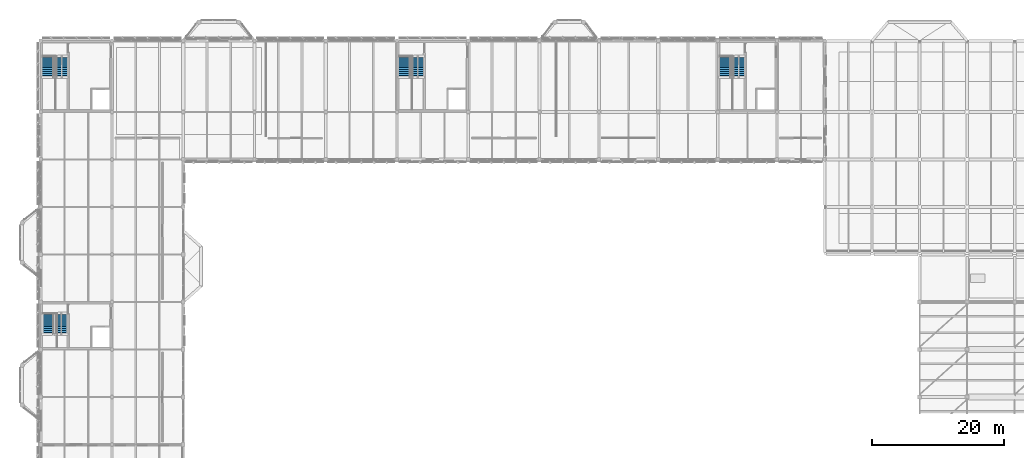
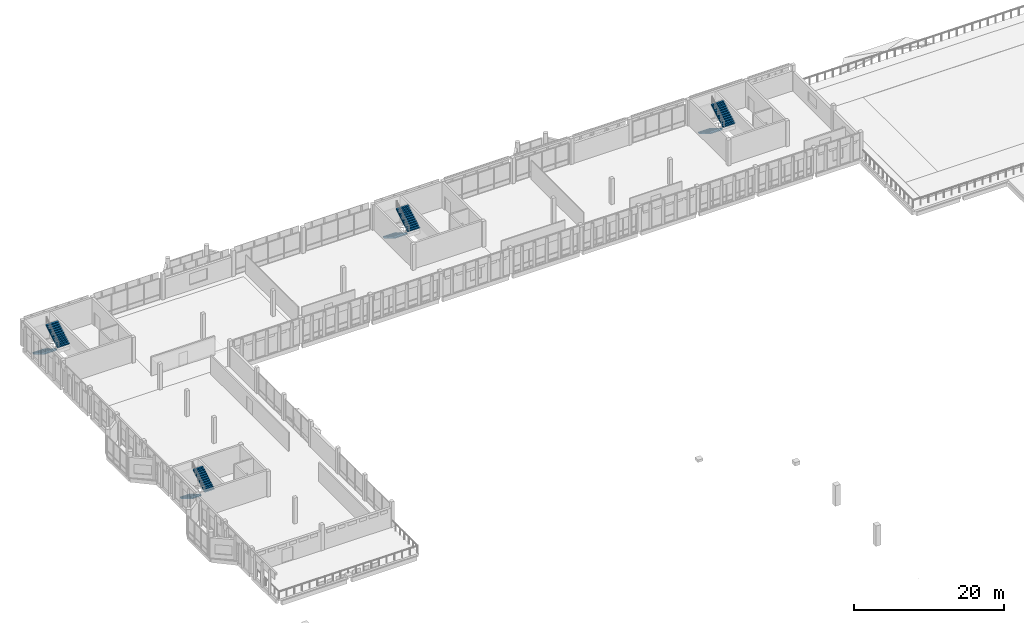
# One storey, part 62 of 72: 8 stair flights, 4 elements without a shape of their own.
"""IFC4 building model written with IfcOpenShell, lengths in metres."""

from ifc_helpers import new_model, si_unit, direction, frame, origin, place, context, subcontext, project, spatial, polyline, outline, extrude, material, type_object, element, aggregate, save


model = new_model("IFC4")

# Units and contexts
model_context = context("Model", 3, precision=1e-05, world=origin(), true_north=direction((0.0, 1.0)))
body_context = subcontext(model_context, "Body", "Model", "MODEL_VIEW")
ifc_project = project(units=[si_unit("LENGTHUNIT", "METRE"), si_unit("AREAUNIT", "SQUARE_METRE"), si_unit("VOLUMEUNIT", "CUBIC_METRE"), si_unit("PLANEANGLEUNIT", "RADIAN"), si_unit("MASSUNIT", "GRAM", prefix="KILO")], contexts=[model_context])

# Site, building, storey
site_placement = place(None, origin())
site = spatial("IfcSite", under=ifc_project, at=site_placement, CompositionType="ELEMENT")
building_placement = place(site_placement, origin())
building = spatial("IfcBuilding", under=site, at=building_placement, Name="Lusvemor Sports Hall", CompositionType="ELEMENT")
storey_placement = place(building_placement, frame((0.0, 0.0, 15.0)))
storey = spatial("IfcBuildingStorey", under=building, at=storey_placement, Name="L03", CompositionType="ELEMENT", Elevation=15.0)

# Stair, stair flights
ifc_material_1 = material(Name="Concrete C40/50", Category="concrete")
stair_type = type_object("IfcStairType", Name="STAIR_CORE_420", PredefinedType="HALF_TURN_STAIR", material=ifc_material_1)
stair_1_placement = place(storey_placement, origin())
stair_1 = element("IfcStair", 1, at=stair_1_placement, inside=storey, type_object=stair_type, Name="Escape Stair C1 (L03)", PredefinedType="HALF_TURN_STAIR")
ifc_material_2 = material(Name="Concrete C40/50", Category="concrete")
stair_flight_type = type_object("IfcStairFlightType", Name="SFLT_CORE_12R", PredefinedType="STRAIGHT", material=ifc_material_2)
stair_flight_1_placement = place(storey_placement, frame((1.159912109375, 112.85009765625, 0.0), z_axis=(0.0, 0.0, 1.0), x_axis=(0.0, -1.0, 0.0)))
stair_flight_1 = element("IfcStairFlight", 2, at=stair_flight_1_placement, type_object=stair_flight_type, Name="ST02 flight 1", NumberOfRisers=12, NumberOfTreads=11, PredefinedType="STRAIGHT", RiserHeight=0.175, TreadLength=0.29, context=body_context, shape_type="SweptSolid", body=[
    extrude(outline(polyline([(0.0, 0.0), (0.0, 0.175048828125), (0.2900390625, 0.175048828125), (0.2900390625, 0.35009765625), (0.580078125, 0.35009765625), (0.580078125, 0.52490234375), (0.8701171875, 0.52490234375), (0.8701171875, 0.699951171875), (1.159912109375, 0.699951171875), (1.159912109375, 0.875), (1.449951171875, 0.875), (1.449951171875, 1.050048828125), (1.739990234375, 1.050048828125), (1.739990234375, 1.22509765625), (2.030029296875, 1.22509765625), (2.030029296875, 1.39990234375), (2.320068359375, 1.39990234375), (2.320068359375, 1.574951171875), (2.610107421875, 1.574951171875), (2.610107421875, 1.75), (2.89990234375, 1.75), (2.89990234375, 1.925048828125), (3.18994140625, 1.925048828125), (3.18994140625, 2.10009765625), (3.18994140625, 1.73828125), (0.3095703125, 0.0), (0.0, 0.0)])), frame((0.0, 0.9599609375, 0.0), z_axis=(0.0, -1.0, 0.0), x_axis=(1.0, 0.0, 0.0)), (0.0, 0.0, 1.0), 1.919921875),
])
stair_flight_2_placement = place(storey_placement, frame((3.159912109375, 109.659912109375, 2.10009765625), z_axis=(0.0, 0.0, 1.0), x_axis=(0.0, 1.0, 0.0)))
stair_flight_2 = element("IfcStairFlight", 3, at=stair_flight_2_placement, type_object=stair_flight_type, Name="ST02 flight 2", NumberOfRisers=12, NumberOfTreads=11, PredefinedType="STRAIGHT", RiserHeight=0.175, TreadLength=0.29, context=body_context, shape_type="SweptSolid", body=[
    extrude(outline(polyline([(0.0, 0.0), (0.0, 0.175048828125), (0.2900390625, 0.175048828125), (0.2900390625, 0.35009765625), (0.580078125, 0.35009765625), (0.580078125, 0.52490234375), (0.8701171875, 0.52490234375), (0.8701171875, 0.699951171875), (1.159912109375, 0.699951171875), (1.159912109375, 0.875), (1.449951171875, 0.875), (1.449951171875, 1.050048828125), (1.739990234375, 1.050048828125), (1.739990234375, 1.22509765625), (2.030029296875, 1.22509765625), (2.030029296875, 1.39990234375), (2.320068359375, 1.39990234375), (2.320068359375, 1.574951171875), (2.610107421875, 1.574951171875), (2.610107421875, 1.75), (2.89990234375, 1.75), (2.89990234375, 1.925048828125), (3.18994140625, 1.925048828125), (3.18994140625, 2.10009765625), (3.18994140625, 1.73828125), (0.3095703125, 0.0), (0.0, 0.0)])), frame((0.0, 0.9599609375, 0.0), z_axis=(0.0, -1.0, 0.0), x_axis=(1.0, 0.0, 0.0)), (0.0, 0.0, 1.0), 1.919921875),
])
aggregate(stair_1, [stair_flight_1, stair_flight_2])

stair_2_placement = place(storey_placement, origin())
stair_2 = element("IfcStair", 4, at=stair_2_placement, inside=storey, type_object=stair_type, Name="Escape Stair C2 (L03)", PredefinedType="HALF_TURN_STAIR")
stair_flight_3_placement = place(storey_placement, frame((55.159912109375, 112.85009765625, 0.0), z_axis=(0.0, 0.0, 1.0), x_axis=(0.0, -1.0, 0.0)))
stair_flight_3 = element("IfcStairFlight", 5, at=stair_flight_3_placement, type_object=stair_flight_type, Name="ST02 flight 1", NumberOfRisers=12, NumberOfTreads=11, PredefinedType="STRAIGHT", RiserHeight=0.175, TreadLength=0.29, context=body_context, shape_type="SweptSolid", body=[
    extrude(outline(polyline([(0.0, 0.0), (0.0, 0.175048828125), (0.2900390625, 0.175048828125), (0.2900390625, 0.35009765625), (0.580078125, 0.35009765625), (0.580078125, 0.52490234375), (0.8701171875, 0.52490234375), (0.8701171875, 0.699951171875), (1.159912109375, 0.699951171875), (1.159912109375, 0.875), (1.449951171875, 0.875), (1.449951171875, 1.050048828125), (1.739990234375, 1.050048828125), (1.739990234375, 1.22509765625), (2.030029296875, 1.22509765625), (2.030029296875, 1.39990234375), (2.320068359375, 1.39990234375), (2.320068359375, 1.574951171875), (2.610107421875, 1.574951171875), (2.610107421875, 1.75), (2.89990234375, 1.75), (2.89990234375, 1.925048828125), (3.18994140625, 1.925048828125), (3.18994140625, 2.10009765625), (3.18994140625, 1.73828125), (0.3095703125, 0.0), (0.0, 0.0)])), frame((0.0, 0.9599609375, 0.0), z_axis=(0.0, -1.0, 0.0), x_axis=(1.0, 0.0, 0.0)), (0.0, 0.0, 1.0), 1.919921875),
])
stair_flight_4_placement = place(storey_placement, frame((57.159912109375, 109.659912109375, 2.10009765625), z_axis=(0.0, 0.0, 1.0), x_axis=(0.0, 1.0, 0.0)))
stair_flight_4 = element("IfcStairFlight", 6, at=stair_flight_4_placement, type_object=stair_flight_type, Name="ST02 flight 2", NumberOfRisers=12, NumberOfTreads=11, PredefinedType="STRAIGHT", RiserHeight=0.175, TreadLength=0.29, context=body_context, shape_type="SweptSolid", body=[
    extrude(outline(polyline([(0.0, 0.0), (0.0, 0.175048828125), (0.2900390625, 0.175048828125), (0.2900390625, 0.35009765625), (0.580078125, 0.35009765625), (0.580078125, 0.52490234375), (0.8701171875, 0.52490234375), (0.8701171875, 0.699951171875), (1.159912109375, 0.699951171875), (1.159912109375, 0.875), (1.449951171875, 0.875), (1.449951171875, 1.050048828125), (1.739990234375, 1.050048828125), (1.739990234375, 1.22509765625), (2.030029296875, 1.22509765625), (2.030029296875, 1.39990234375), (2.320068359375, 1.39990234375), (2.320068359375, 1.574951171875), (2.610107421875, 1.574951171875), (2.610107421875, 1.75), (2.89990234375, 1.75), (2.89990234375, 1.925048828125), (3.18994140625, 1.925048828125), (3.18994140625, 2.10009765625), (3.18994140625, 1.73828125), (0.3095703125, 0.0), (0.0, 0.0)])), frame((0.0, 0.9599609375, 0.0), z_axis=(0.0, -1.0, 0.0), x_axis=(1.0, 0.0, 0.0)), (0.0, 0.0, 1.0), 1.919921875),
])
aggregate(stair_2, [stair_flight_3, stair_flight_4])

stair_3_placement = place(storey_placement, origin())
stair_3 = element("IfcStair", 7, at=stair_3_placement, inside=storey, type_object=stair_type, Name="Escape Stair C3 (L03)", PredefinedType="HALF_TURN_STAIR")
stair_flight_5_placement = place(storey_placement, frame((1.14990234375, 73.8798828125, 0.0), z_axis=(0.0, 0.0, 1.0), x_axis=(0.0, -1.0, 0.0)))
stair_flight_5 = element("IfcStairFlight", 8, at=stair_flight_5_placement, type_object=stair_flight_type, Name="ST02 flight 1", NumberOfRisers=12, NumberOfTreads=11, PredefinedType="STRAIGHT", RiserHeight=0.175, TreadLength=0.29, context=body_context, shape_type="SweptSolid", body=[
    extrude(outline(polyline([(0.0, 0.0), (0.0, 0.175048828125), (0.2900390625, 0.175048828125), (0.2900390625, 0.35009765625), (0.580078125, 0.35009765625), (0.580078125, 0.52490234375), (0.8701171875, 0.52490234375), (0.8701171875, 0.699951171875), (1.159912109375, 0.699951171875), (1.159912109375, 0.875), (1.449951171875, 0.875), (1.449951171875, 1.050048828125), (1.739990234375, 1.050048828125), (1.739990234375, 1.22509765625), (2.030029296875, 1.22509765625), (2.030029296875, 1.39990234375), (2.320068359375, 1.39990234375), (2.320068359375, 1.574951171875), (2.610107421875, 1.574951171875), (2.610107421875, 1.75), (2.89990234375, 1.75), (2.89990234375, 1.925048828125), (3.18994140625, 1.925048828125), (3.18994140625, 2.10009765625), (3.18994140625, 1.73828125), (0.3095703125, 0.0), (0.0, 0.0)])), frame((0.0, 0.75, 0.0), z_axis=(0.0, -1.0, 0.0), x_axis=(1.0, 0.0, 0.0)), (0.0, 0.0, 1.0), 1.5),
])
stair_flight_6_placement = place(storey_placement, frame((3.14990234375, 70.68994140625, 2.10009765625), z_axis=(0.0, 0.0, 1.0), x_axis=(0.0, 1.0, 0.0)))
stair_flight_6 = element("IfcStairFlight", 9, at=stair_flight_6_placement, type_object=stair_flight_type, Name="ST02 flight 2", NumberOfRisers=12, NumberOfTreads=11, PredefinedType="STRAIGHT", RiserHeight=0.175, TreadLength=0.29, context=body_context, shape_type="SweptSolid", body=[
    extrude(outline(polyline([(0.0, 0.0), (0.0, 0.175048828125), (0.2900390625, 0.175048828125), (0.2900390625, 0.35009765625), (0.580078125, 0.35009765625), (0.580078125, 0.52490234375), (0.8701171875, 0.52490234375), (0.8701171875, 0.699951171875), (1.159912109375, 0.699951171875), (1.159912109375, 0.875), (1.449951171875, 0.875), (1.449951171875, 1.050048828125), (1.739990234375, 1.050048828125), (1.739990234375, 1.22509765625), (2.030029296875, 1.22509765625), (2.030029296875, 1.39990234375), (2.320068359375, 1.39990234375), (2.320068359375, 1.574951171875), (2.610107421875, 1.574951171875), (2.610107421875, 1.75), (2.89990234375, 1.75), (2.89990234375, 1.925048828125), (3.18994140625, 1.925048828125), (3.18994140625, 2.10009765625), (3.18994140625, 1.73828125), (0.3095703125, 0.0), (0.0, 0.0)])), frame((0.0, 0.75, 0.0), z_axis=(0.0, -1.0, 0.0), x_axis=(1.0, 0.0, 0.0)), (0.0, 0.0, 1.0), 1.5),
])
aggregate(stair_3, [stair_flight_5, stair_flight_6])

stair_4_placement = place(storey_placement, origin())
stair_4 = element("IfcStair", 10, at=stair_4_placement, inside=storey, type_object=stair_type, Name="Escape Stair C4 (L03)", PredefinedType="HALF_TURN_STAIR")
stair_flight_7_placement = place(storey_placement, frame((103.760009765625, 112.85009765625, 0.0), z_axis=(0.0, 0.0, 1.0), x_axis=(0.0, -1.0, 0.0)))
stair_flight_7 = element("IfcStairFlight", 11, at=stair_flight_7_placement, type_object=stair_flight_type, Name="ST02 flight 1", NumberOfRisers=12, NumberOfTreads=11, PredefinedType="STRAIGHT", RiserHeight=0.175, TreadLength=0.29, context=body_context, shape_type="SweptSolid", body=[
    extrude(outline(polyline([(0.0, 0.0), (0.0, 0.175048828125), (0.2900390625, 0.175048828125), (0.2900390625, 0.35009765625), (0.580078125, 0.35009765625), (0.580078125, 0.52490234375), (0.8701171875, 0.52490234375), (0.8701171875, 0.699951171875), (1.159912109375, 0.699951171875), (1.159912109375, 0.875), (1.449951171875, 0.875), (1.449951171875, 1.050048828125), (1.739990234375, 1.050048828125), (1.739990234375, 1.22509765625), (2.030029296875, 1.22509765625), (2.030029296875, 1.39990234375), (2.320068359375, 1.39990234375), (2.320068359375, 1.574951171875), (2.610107421875, 1.574951171875), (2.610107421875, 1.75), (2.89990234375, 1.75), (2.89990234375, 1.925048828125), (3.18994140625, 1.925048828125), (3.18994140625, 2.10009765625), (3.18994140625, 1.73828125), (0.3095703125, 0.0), (0.0, 0.0)])), frame((0.0, 0.9599609375, 0.0), z_axis=(0.0, -1.0, 0.0), x_axis=(1.0, 0.0, 0.0)), (0.0, 0.0, 1.0), 1.919921875),
])
stair_flight_8_placement = place(storey_placement, frame((105.760009765625, 109.659912109375, 2.10009765625), z_axis=(0.0, 0.0, 1.0), x_axis=(0.0, 1.0, 0.0)))
stair_flight_8 = element("IfcStairFlight", 12, at=stair_flight_8_placement, type_object=stair_flight_type, Name="ST02 flight 2", NumberOfRisers=12, NumberOfTreads=11, PredefinedType="STRAIGHT", RiserHeight=0.175, TreadLength=0.29, context=body_context, shape_type="SweptSolid", body=[
    extrude(outline(polyline([(0.0, 0.0), (0.0, 0.175048828125), (0.2900390625, 0.175048828125), (0.2900390625, 0.35009765625), (0.580078125, 0.35009765625), (0.580078125, 0.52490234375), (0.8701171875, 0.52490234375), (0.8701171875, 0.699951171875), (1.159912109375, 0.699951171875), (1.159912109375, 0.875), (1.449951171875, 0.875), (1.449951171875, 1.050048828125), (1.739990234375, 1.050048828125), (1.739990234375, 1.22509765625), (2.030029296875, 1.22509765625), (2.030029296875, 1.39990234375), (2.320068359375, 1.39990234375), (2.320068359375, 1.574951171875), (2.610107421875, 1.574951171875), (2.610107421875, 1.75), (2.89990234375, 1.75), (2.89990234375, 1.925048828125), (3.18994140625, 1.925048828125), (3.18994140625, 2.10009765625), (3.18994140625, 1.73828125), (0.3095703125, 0.0), (0.0, 0.0)])), frame((0.0, 0.9599609375, 0.0), z_axis=(0.0, -1.0, 0.0), x_axis=(1.0, 0.0, 0.0)), (0.0, 0.0, 1.0), 1.919921875),
])
aggregate(stair_4, [stair_flight_7, stair_flight_8])

save(model, "model.ifc")
